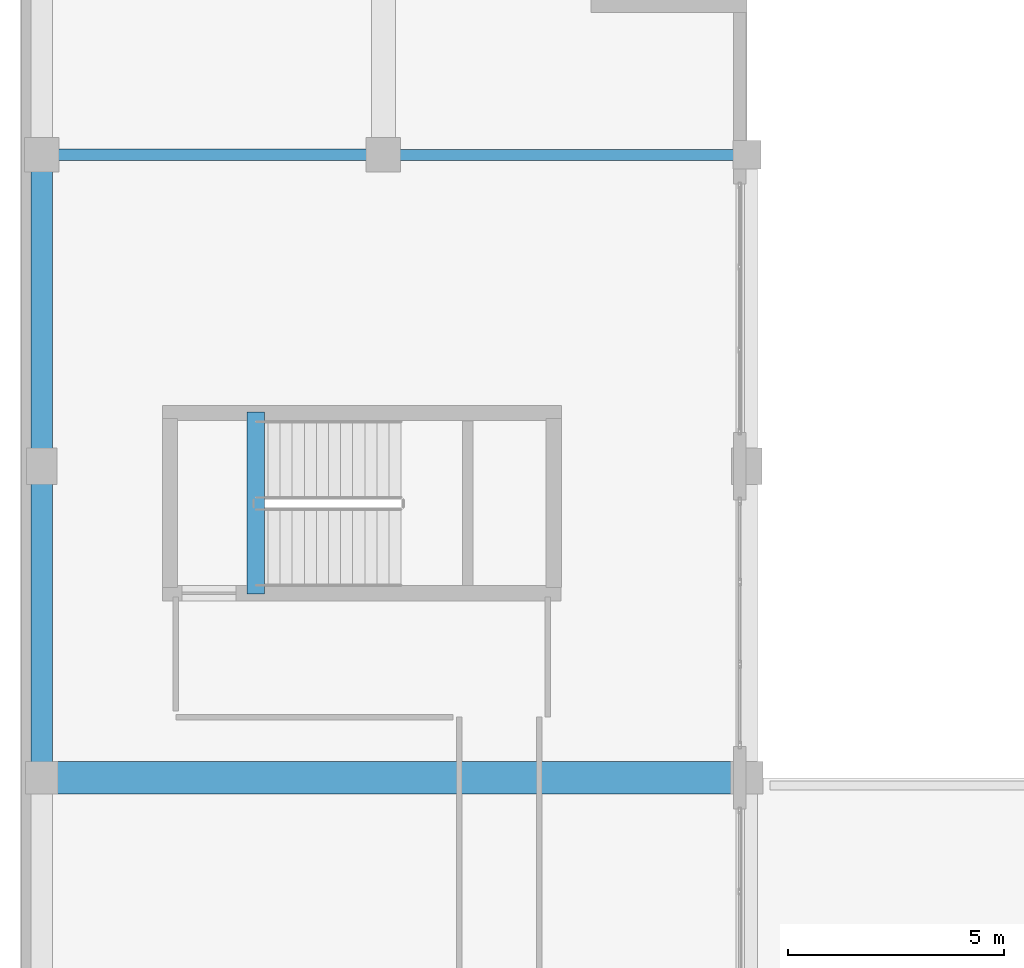
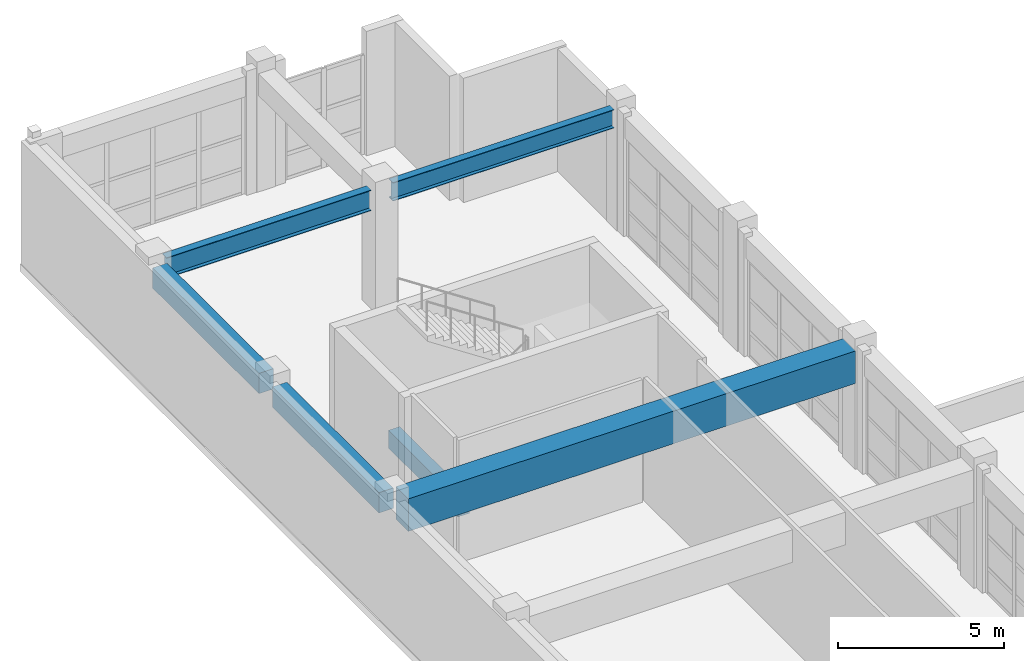
# One storey, part 29 of 123: 6 beams.
"""IFC4 building model written with IfcOpenShell, lengths in metres."""

from ifc_helpers import new_model, si_unit, direction, frame, origin, origin_2d, place, context, subcontext, project, spatial, rectangle, i_section, extrude, material, material_profile, profile_set, type_object, element, save


model = new_model("IFC4")

# Units and contexts
model_context = context("Model", 3, precision=1e-05, world=origin(), true_north=direction((0.0, 1.0)))
body_context = subcontext(model_context, "Body", "Model", "MODEL_VIEW")
ifc_project = project(units=[si_unit("LENGTHUNIT", "METRE"), si_unit("AREAUNIT", "SQUARE_METRE"), si_unit("VOLUMEUNIT", "CUBIC_METRE"), si_unit("PLANEANGLEUNIT", "RADIAN"), si_unit("MASSUNIT", "GRAM", prefix="KILO")], contexts=[model_context])

# Site, building, storey
site_placement = place(None, origin())
site = spatial("IfcSite", under=ifc_project, at=site_placement, CompositionType="ELEMENT")
building_placement = place(site_placement, origin())
building = spatial("IfcBuilding", under=site, at=building_placement, Name="Quendrovan Civic Courthouse", CompositionType="ELEMENT")
storey_placement = place(building_placement, frame((0.0, 0.0, 5.39990234375)))
storey = spatial("IfcBuildingStorey", under=building, at=storey_placement, Name="L02", CompositionType="ELEMENT", Elevation=5.39990234375)

# Beams
ifc_material_1 = material(Name="Post-tensioned concrete C50/60", Category="concrete")
ifc_material_profile_1 = material_profile(ifc_material_1, rectangle(XDim=0.75, YDim=1.199951171875, at=origin_2d()), Name="PT-GIRD-750x1200")
ifc_profile_set_1 = profile_set([ifc_material_profile_1], Name="Post-tensioned concrete C50/60")
beam_type_1 = type_object("IfcBeamType", Name="BM-PT1200", PredefinedType="BEAM", material=ifc_profile_set_1)
beam_1_placement = place(storey_placement, frame((0.85498046875, 80.39990234375, 3.760009765625), z_axis=(1.0, 0.0, 0.0), x_axis=(0.0, 1.0, 0.0)))
element("IfcBeam", 1, at=beam_1_placement, inside=storey, type_object=beam_type_1, Name="L02 Girder X0545", PredefinedType="BEAM", context=body_context, shape_type="SweptSolid", body=[
    extrude(rectangle(XDim=0.75, YDim=1.199951171875, at=origin_2d()), origin(), (0.0, 0.0, 1.0), 15.590087890625),
])
ifc_material_2 = material(Name="Concrete C40/50", Category="concrete")
ifc_material_profile_2 = material_profile(ifc_material_2, rectangle(XDim=0.39990234375, YDim=0.64990234375, at=origin_2d()), Name="RC-BM-400x650")
ifc_profile_set_2 = profile_set([ifc_material_profile_2], Name="Concrete C40/50")
beam_type_2 = type_object("IfcBeamType", Name="BM-RC650", PredefinedType="JOIST", material=ifc_profile_set_2)
beam_2_placement = place(storey_placement, frame((5.449951171875, 84.64990234375, -0.324951171875), z_axis=(0.0, 1.0, 0.0), x_axis=(-1.0, 0.0, 0.0)))
element("IfcBeam", 2, at=beam_2_placement, inside=storey, type_object=beam_type_2, Name="L02 Stair ST8 Landing Trimmer Beam", PredefinedType="JOIST", context=body_context, shape_type="SweptSolid", body=[
    extrude(rectangle(XDim=0.39990234375, YDim=0.64990234375, at=origin_2d()), origin(), (0.0, 0.0, 1.0), 4.2001953125),
])
ifc_material_profile_3 = material_profile(ifc_material_2, rectangle(XDim=0.5, YDim=0.75, at=origin_2d()), Name="RC-BM-500x750")
ifc_profile_set_3 = profile_set([ifc_material_profile_3], Name="Concrete C40/50")
beam_type_3 = type_object("IfcBeamType", Name="BM-RC750", PredefinedType="SPANDREL", material=ifc_profile_set_3)
beam_3_placement = place(storey_placement, frame((0.5, 80.7548828125, 3.985107421875), z_axis=(0.0, 1.0, 0.0), x_axis=(-1.0, 0.0, 0.0)))
element("IfcBeam", 3, at=beam_3_placement, inside=storey, type_object=beam_type_3, Name="L02 Girder Y0615", PredefinedType="SPANDREL", context=body_context, shape_type="SweptSolid", body=[
    extrude(rectangle(XDim=0.5, YDim=0.75, at=origin_2d()), origin(), (0.0, 0.0, 1.0), 6.440185546875),
])
beam_4_placement = place(storey_placement, frame((0.5, 88.0048828125, 3.985107421875), z_axis=(0.0, 1.0, 0.0), x_axis=(-1.0, 0.0, 0.0)))
element("IfcBeam", 4, at=beam_4_placement, inside=storey, type_object=beam_type_3, Name="L02 Girder Y0616", PredefinedType="SPANDREL", context=body_context, shape_type="SweptSolid", body=[
    extrude(rectangle(XDim=0.5, YDim=0.75, at=origin_2d()), origin(), (0.0, 0.0, 1.0), 6.4150390625),
])
ifc_material_3 = material(Name="Steel ASTM A992 Grade 50", Category="steel")
ifc_material_profile_4 = material_profile(ifc_material_3, i_section(OverallWidth=0.25390625, OverallDepth=0.68408203125, WebThickness=0.012451171875, FlangeThickness=0.018798828125, at=origin_2d()), Name="W27X94")
ifc_profile_set_4 = profile_set([ifc_material_profile_4], Name="Steel ASTM A992 Grade 50")
beam_type_4 = type_object("IfcBeamType", Name="BM-STL-W27", PredefinedType="BEAM", material=ifc_profile_set_4)
beam_5_placement = place(storey_placement, frame((8.780029296875, 94.800048828125, 4.01806640625), z_axis=(1.0, 0.0, 0.0), x_axis=(0.0, 1.0, 0.0)))
element("IfcBeam", 5, at=beam_5_placement, inside=storey, type_object=beam_type_4, Name="L02 Girder X0567", PredefinedType="BEAM", context=body_context, shape_type="SweptSolid", body=[
    extrude(i_section(OverallWidth=0.25390625, OverallDepth=0.68408203125, WebThickness=0.012451171875, FlangeThickness=0.018798828125, at=origin_2d()), origin(), (0.0, 0.0, 1.0), 7.715087890625),
])
ifc_material_profile_5 = material_profile(ifc_material_3, i_section(OverallWidth=0.26611328125, OverallDepth=0.758056640625, WebThickness=0.013916015625, FlangeThickness=0.019287109375, at=origin_2d()), Name="W30X108")
ifc_profile_set_5 = profile_set([ifc_material_profile_5], Name="Steel ASTM A992 Grade 50")
beam_type_5 = type_object("IfcBeamType", Name="BM-STL-W30", PredefinedType="BEAM", material=ifc_profile_set_5)
beam_6_placement = place(storey_placement, frame((0.8798828125, 94.800048828125, 3.981201171875), z_axis=(1.0, 0.0, 0.0), x_axis=(0.0, 1.0, 0.0)))
element("IfcBeam", 6, at=beam_6_placement, inside=storey, type_object=beam_type_5, Name="L02 Girder X0566", PredefinedType="BEAM", context=body_context, shape_type="SweptSolid", body=[
    extrude(i_section(OverallWidth=0.26611328125, OverallDepth=0.758056640625, WebThickness=0.013916015625, FlangeThickness=0.019287109375, at=origin_2d()), origin(), (0.0, 0.0, 1.0), 7.14013671875),
])

save(model, "model.ifc")
